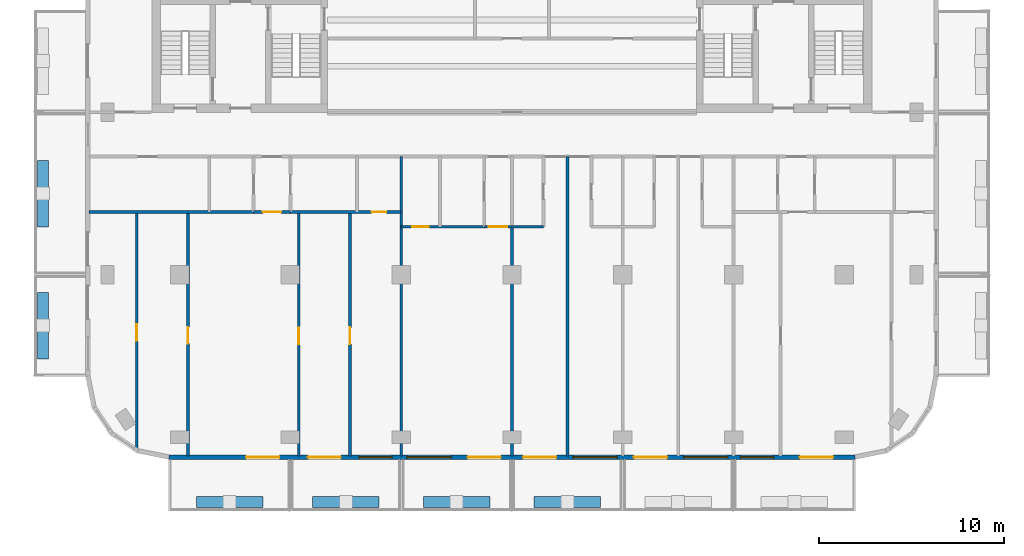
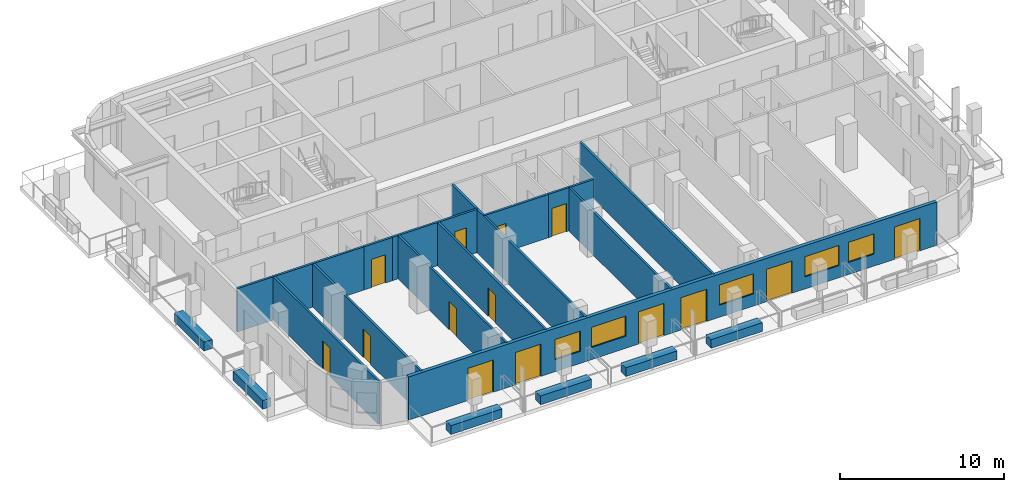
# One storey, part 2 of 11: 20 walls, 14 doors, 5 windows, 19 openings.
"""IFC4 building model written with IfcOpenShell, lengths in metres."""

from ifc_helpers import new_model, si_unit, direction, frame, frame_2d, origin, place, context, subcontext, project, spatial, rectangle, extrude, material, layer, layer_set, type_object, element, fill, save


model = new_model("IFC4")

# Units and contexts
model_context = context("Model", 3, precision=1e-05, world=origin(), true_north=direction((0.0, 1.0)))
body_context = subcontext(model_context, "Body", "Model", "MODEL_VIEW")
ifc_project = project(units=[si_unit("LENGTHUNIT", "METRE"), si_unit("AREAUNIT", "SQUARE_METRE"), si_unit("VOLUMEUNIT", "CUBIC_METRE"), si_unit("PLANEANGLEUNIT", "RADIAN"), si_unit("MASSUNIT", "GRAM", prefix="KILO")], contexts=[model_context])

# Site, building, storey
site_placement = place(None, origin())
site = spatial("IfcSite", under=ifc_project, at=site_placement, CompositionType="ELEMENT")
building_placement = place(site_placement, origin())
building = spatial("IfcBuilding", under=site, at=building_placement, Name="Torana Hotel and Residences", CompositionType="ELEMENT")
storey_placement = place(building_placement, frame((0.0, 0.0, 277.10009765625)))
storey = spatial("IfcBuildingStorey", under=building, at=storey_placement, Name="L73", CompositionType="ELEMENT", Elevation=277.10009765625)

# Wall, openings, doors, windows
ifc_material_1 = material(Name="Black aluminium composite panel", Category="aluminium")
ifc_layer_1 = layer(ifc_material_1, 0.00390625, Name="Cladding", Category="cladding")
ifc_material_2 = material(Name="Ventilated air cavity")
ifc_layer_2 = layer(ifc_material_2, 0.0400390625, Name="Ventilated cavity", Category="cavity")
ifc_material_3 = material(Name="Mineral wool insulation")
ifc_layer_3 = layer(ifc_material_3, 0.090087890625, Name="Insulation", Category="insulation")
ifc_material_4 = material(Name="Steel S280GD", Category="steel")
ifc_layer_4 = layer(ifc_material_4, 0.092041015625, Name="Steel stud frame", Category="structure")
ifc_material_5 = material(Name="Fire rated plasterboard")
ifc_layer_5 = layer(ifc_material_5, 0.011962890625, Name="Inner board", Category="finish")
ifc_layer_6 = layer(ifc_material_5, 0.011962890625, Name="Second board", Category="finish")
ifc_layer_set_1 = layer_set([ifc_layer_1, ifc_layer_2, ifc_layer_3, ifc_layer_4, ifc_layer_5, ifc_layer_6], Name="EW1 EXTERNAL WALL BLACK METAL CLAD 250")
wall_type_1 = type_object("IfcWallType", Name="EW1 EXTERNAL WALL BLACK METAL CLAD 250", PredefinedType="SOLIDWALL", material=ifc_layer_set_1)
wall_1_placement = place(storey_placement, frame((-18.575439453125, -33.675048828125, 0.0), z_axis=(0.0, 0.0, 1.0), x_axis=(1.0, 0.0, 0.0)))
wall_1 = element("IfcWall", 1, at=wall_1_placement, inside=storey, type_object=wall_type_1, Name="External wall L73 e0.14", PredefinedType="SOLIDWALL", context=body_context, shape_type="SweptSolid", body=[
    extrude(rectangle(XDim=37.15087890625, YDim=0.25, at=frame_2d((18.575439453125, 0.0))), origin(), (0.0, 0.0, 1.0), 3.219970703125),
])
opening_1_placement = place(wall_1_placement, frame((4.17529296875, 0.0, 0.0)))
opening_1 = element("IfcOpeningElement", 2, at=opening_1_placement, cuts=wall_1, Name="Opening L73-E01", PredefinedType="OPENING", context=body_context, shape_type="SweptSolid", body=[
    extrude(rectangle(XDim=1.800048828125, YDim=2.39990234375, at=frame_2d((0.89990234375, 1.199951171875))), frame((0.0, 0.135009765625, 0.0), z_axis=(0.0, -1.0, 0.0), x_axis=(1.0, 0.0, 0.0)), (0.0, 0.0, 1.0), 0.27001953125),
])
opening_2_placement = place(wall_1_placement, frame((7.512451171875, 0.0, 0.0)))
opening_2 = element("IfcOpeningElement", 3, at=opening_2_placement, cuts=wall_1, Name="Opening L73-E02", PredefinedType="OPENING", context=body_context, shape_type="SweptSolid", body=[
    extrude(rectangle(XDim=1.800048828125, YDim=2.39990234375, at=frame_2d((0.89990234375, 1.199951171875))), frame((0.0, 0.135009765625, 0.0), z_axis=(0.0, -1.0, 0.0), x_axis=(1.0, 0.0, 0.0)), (0.0, 0.0, 1.0), 0.27001953125),
])
opening_3_placement = place(wall_1_placement, frame((10.287353515625, 0.0, 0.89990234375)))
opening_3 = element("IfcOpeningElement", 4, at=opening_3_placement, cuts=wall_1, Name="Opening W4", PredefinedType="OPENING", context=body_context, shape_type="SweptSolid", body=[
    extrude(rectangle(XDim=1.800048828125, YDim=1.5, at=frame_2d((0.89990234375, 0.75))), frame((0.0, 0.135009765625, 0.0), z_axis=(0.0, -1.0, 0.0), x_axis=(1.0, 0.0, 0.0)), (0.0, 0.0, 1.0), 0.27001953125),
])
opening_4_placement = place(wall_1_placement, frame((12.87548828125, 0.0, 0.89990234375)))
opening_4 = element("IfcOpeningElement", 5, at=opening_4_placement, cuts=wall_1, Name="Opening W3", PredefinedType="OPENING", context=body_context, shape_type="SweptSolid", body=[
    extrude(rectangle(XDim=2.39990234375, YDim=1.5, at=frame_2d((1.199951171875, 0.75))), frame((0.0, 0.135009765625, 0.0), z_axis=(0.0, -1.0, 0.0), x_axis=(1.0, 0.0, 0.0)), (0.0, 0.0, 1.0), 0.27001953125),
])
opening_5_placement = place(wall_1_placement, frame((16.17529296875, 0.0, 0.0)))
opening_5 = element("IfcOpeningElement", 6, at=opening_5_placement, cuts=wall_1, Name="Opening L73-E03", PredefinedType="OPENING", context=body_context, shape_type="SweptSolid", body=[
    extrude(rectangle(XDim=1.800048828125, YDim=2.39990234375, at=frame_2d((0.89990234375, 1.199951171875))), frame((0.0, 0.135009765625, 0.0), z_axis=(0.0, -1.0, 0.0), x_axis=(1.0, 0.0, 0.0)), (0.0, 0.0, 1.0), 0.27001953125),
])
opening_6_placement = place(wall_1_placement, frame((19.17529296875, 0.0, 0.0)))
opening_6 = element("IfcOpeningElement", 7, at=opening_6_placement, cuts=wall_1, Name="Opening L73-E04", PredefinedType="OPENING", context=body_context, shape_type="SweptSolid", body=[
    extrude(rectangle(XDim=1.800048828125, YDim=2.39990234375, at=frame_2d((0.89990234375, 1.199951171875))), frame((0.0, 0.135009765625, 0.0), z_axis=(0.0, -1.0, 0.0), x_axis=(1.0, 0.0, 0.0)), (0.0, 0.0, 1.0), 0.27001953125),
])
opening_7_placement = place(wall_1_placement, frame((21.87548828125, 0.0, 0.89990234375)))
opening_7 = element("IfcOpeningElement", 8, at=opening_7_placement, cuts=wall_1, Name="Opening W3", PredefinedType="OPENING", context=body_context, shape_type="SweptSolid", body=[
    extrude(rectangle(XDim=2.39990234375, YDim=1.5, at=frame_2d((1.199951171875, 0.75))), frame((0.0, 0.135009765625, 0.0), z_axis=(0.0, -1.0, 0.0), x_axis=(1.0, 0.0, 0.0)), (0.0, 0.0, 1.0), 0.27001953125),
])
opening_8_placement = place(wall_1_placement, frame((25.17529296875, 0.0, 0.0)))
opening_8 = element("IfcOpeningElement", 9, at=opening_8_placement, cuts=wall_1, Name="Opening L73-E05", PredefinedType="OPENING", context=body_context, shape_type="SweptSolid", body=[
    extrude(rectangle(XDim=1.800048828125, YDim=2.39990234375, at=frame_2d((0.89990234375, 1.199951171875))), frame((0.0, 0.135009765625, 0.0), z_axis=(0.0, -1.0, 0.0), x_axis=(1.0, 0.0, 0.0)), (0.0, 0.0, 1.0), 0.27001953125),
])
opening_9_placement = place(wall_1_placement, frame((27.87548828125, 0.0, 0.89990234375)))
opening_9 = element("IfcOpeningElement", 10, at=opening_9_placement, cuts=wall_1, Name="Opening W3", PredefinedType="OPENING", context=body_context, shape_type="SweptSolid", body=[
    extrude(rectangle(XDim=2.39990234375, YDim=1.5, at=frame_2d((1.199951171875, 0.75))), frame((0.0, 0.135009765625, 0.0), z_axis=(0.0, -1.0, 0.0), x_axis=(1.0, 0.0, 0.0)), (0.0, 0.0, 1.0), 0.27001953125),
])
opening_10_placement = place(wall_1_placement, frame((30.950439453125, 0.0, 0.89990234375)))
opening_10 = element("IfcOpeningElement", 11, at=opening_10_placement, cuts=wall_1, Name="Opening W4", PredefinedType="OPENING", context=body_context, shape_type="SweptSolid", body=[
    extrude(rectangle(XDim=1.800048828125, YDim=1.5, at=frame_2d((0.89990234375, 0.75))), frame((0.0, 0.135009765625, 0.0), z_axis=(0.0, -1.0, 0.0), x_axis=(1.0, 0.0, 0.0)), (0.0, 0.0, 1.0), 0.27001953125),
])
opening_11_placement = place(wall_1_placement, frame((34.17529296875, 0.0, 0.0)))
opening_11 = element("IfcOpeningElement", 12, at=opening_11_placement, cuts=wall_1, Name="Opening L73-E06", PredefinedType="OPENING", context=body_context, shape_type="SweptSolid", body=[
    extrude(rectangle(XDim=1.800048828125, YDim=2.39990234375, at=frame_2d((0.89990234375, 1.199951171875))), frame((0.0, 0.135009765625, 0.0), z_axis=(0.0, -1.0, 0.0), x_axis=(1.0, 0.0, 0.0)), (0.0, 0.0, 1.0), 0.27001953125),
])
ifc_material_6 = material(Name="Dark glass in black aluminium frame", Category="aluminium")
door_type_1 = type_object("IfcDoorType", Name="DB1 BALCONY DOOR 1800x2400", OperationType="DOUBLE_DOOR_SINGLE_SWING", PredefinedType="DOOR", material=ifc_material_6)
door_1_placement = place(opening_1_placement, origin())
door_1 = element("IfcDoor", 13, at=door_1_placement, inside=storey, type_object=door_type_1, Name="Balcony door L73", OperationType="DOUBLE_DOOR_SINGLE_SWING", OverallHeight=2.39990234375, OverallWidth=1.800048828125, PredefinedType="DOOR", context=body_context, shape_type="SweptSolid", body=[
    extrude(rectangle(XDim=1.800048828125, YDim=2.39990234375, at=frame_2d((0.89990234375, 1.199951171875))), frame((0.0, 0.02490234375, 0.0), z_axis=(0.0, -1.0, 0.0), x_axis=(1.0, 0.0, 0.0)), (0.0, 0.0, 1.0), 0.050048828125),
])
fill(opening_1, door_1)
door_2_placement = place(opening_2_placement, origin())
door_2 = element("IfcDoor", 14, at=door_2_placement, inside=storey, type_object=door_type_1, Name="Balcony door L73", OperationType="DOUBLE_DOOR_SINGLE_SWING", OverallHeight=2.39990234375, OverallWidth=1.800048828125, PredefinedType="DOOR", context=body_context, shape_type="SweptSolid", body=[
    extrude(rectangle(XDim=1.800048828125, YDim=2.39990234375, at=frame_2d((0.89990234375, 1.199951171875))), frame((0.0, 0.02490234375, 0.0), z_axis=(0.0, -1.0, 0.0), x_axis=(1.0, 0.0, 0.0)), (0.0, 0.0, 1.0), 0.050048828125),
])
fill(opening_2, door_2)
door_3_placement = place(opening_5_placement, origin())
door_3 = element("IfcDoor", 15, at=door_3_placement, inside=storey, type_object=door_type_1, Name="Balcony door L73", OperationType="DOUBLE_DOOR_SINGLE_SWING", OverallHeight=2.39990234375, OverallWidth=1.800048828125, PredefinedType="DOOR", context=body_context, shape_type="SweptSolid", body=[
    extrude(rectangle(XDim=1.800048828125, YDim=2.39990234375, at=frame_2d((0.89990234375, 1.199951171875))), frame((0.0, 0.02490234375, 0.0), z_axis=(0.0, -1.0, 0.0), x_axis=(1.0, 0.0, 0.0)), (0.0, 0.0, 1.0), 0.050048828125),
])
fill(opening_5, door_3)
door_4_placement = place(opening_6_placement, origin())
door_4 = element("IfcDoor", 16, at=door_4_placement, inside=storey, type_object=door_type_1, Name="Balcony door L73", OperationType="DOUBLE_DOOR_SINGLE_SWING", OverallHeight=2.39990234375, OverallWidth=1.800048828125, PredefinedType="DOOR", context=body_context, shape_type="SweptSolid", body=[
    extrude(rectangle(XDim=1.800048828125, YDim=2.39990234375, at=frame_2d((0.89990234375, 1.199951171875))), frame((0.0, 0.02490234375, 0.0), z_axis=(0.0, -1.0, 0.0), x_axis=(1.0, 0.0, 0.0)), (0.0, 0.0, 1.0), 0.050048828125),
])
fill(opening_6, door_4)
door_5_placement = place(opening_8_placement, origin())
door_5 = element("IfcDoor", 17, at=door_5_placement, inside=storey, type_object=door_type_1, Name="Balcony door L73", OperationType="DOUBLE_DOOR_SINGLE_SWING", OverallHeight=2.39990234375, OverallWidth=1.800048828125, PredefinedType="DOOR", context=body_context, shape_type="SweptSolid", body=[
    extrude(rectangle(XDim=1.800048828125, YDim=2.39990234375, at=frame_2d((0.89990234375, 1.199951171875))), frame((0.0, 0.02490234375, 0.0), z_axis=(0.0, -1.0, 0.0), x_axis=(1.0, 0.0, 0.0)), (0.0, 0.0, 1.0), 0.050048828125),
])
fill(opening_8, door_5)
door_6_placement = place(opening_11_placement, origin())
door_6 = element("IfcDoor", 18, at=door_6_placement, inside=storey, type_object=door_type_1, Name="Balcony door L73", OperationType="DOUBLE_DOOR_SINGLE_SWING", OverallHeight=2.39990234375, OverallWidth=1.800048828125, PredefinedType="DOOR", context=body_context, shape_type="SweptSolid", body=[
    extrude(rectangle(XDim=1.800048828125, YDim=2.39990234375, at=frame_2d((0.89990234375, 1.199951171875))), frame((0.0, 0.02490234375, 0.0), z_axis=(0.0, -1.0, 0.0), x_axis=(1.0, 0.0, 0.0)), (0.0, 0.0, 1.0), 0.050048828125),
])
fill(opening_11, door_6)
ifc_material_7 = material(Name="Dark glass in black aluminium frame", Category="aluminium")
window_type_1 = type_object("IfcWindowType", Name="W3 RESIDENCE WINDOW 2400x1500", PartitioningType="SINGLE_PANEL", PredefinedType="WINDOW", material=ifc_material_7)
window_1_placement = place(opening_4_placement, origin())
window_1 = element("IfcWindow", 19, at=window_1_placement, inside=storey, type_object=window_type_1, Name="Window L73", OverallHeight=1.5, OverallWidth=2.39990234375, PartitioningType="SINGLE_PANEL", PredefinedType="WINDOW", context=body_context, shape_type="SweptSolid", body=[
    extrude(rectangle(XDim=2.39990234375, YDim=1.5, at=frame_2d((1.199951171875, 0.75))), frame((0.0, 0.030029296875, 0.0), z_axis=(0.0, -1.0, 0.0), x_axis=(1.0, 0.0, 0.0)), (0.0, 0.0, 1.0), 0.06005859375),
])
fill(opening_4, window_1)
window_2_placement = place(opening_7_placement, origin())
window_2 = element("IfcWindow", 20, at=window_2_placement, inside=storey, type_object=window_type_1, Name="Window L73", OverallHeight=1.5, OverallWidth=2.39990234375, PartitioningType="SINGLE_PANEL", PredefinedType="WINDOW", context=body_context, shape_type="SweptSolid", body=[
    extrude(rectangle(XDim=2.39990234375, YDim=1.5, at=frame_2d((1.199951171875, 0.75))), frame((0.0, 0.030029296875, 0.0), z_axis=(0.0, -1.0, 0.0), x_axis=(1.0, 0.0, 0.0)), (0.0, 0.0, 1.0), 0.06005859375),
])
fill(opening_7, window_2)
window_3_placement = place(opening_9_placement, origin())
window_3 = element("IfcWindow", 21, at=window_3_placement, inside=storey, type_object=window_type_1, Name="Window L73", OverallHeight=1.5, OverallWidth=2.39990234375, PartitioningType="SINGLE_PANEL", PredefinedType="WINDOW", context=body_context, shape_type="SweptSolid", body=[
    extrude(rectangle(XDim=2.39990234375, YDim=1.5, at=frame_2d((1.199951171875, 0.75))), frame((0.0, 0.030029296875, 0.0), z_axis=(0.0, -1.0, 0.0), x_axis=(1.0, 0.0, 0.0)), (0.0, 0.0, 1.0), 0.06005859375),
])
fill(opening_9, window_3)
ifc_material_8 = material(Name="Dark glass in black aluminium frame", Category="aluminium")
window_type_2 = type_object("IfcWindowType", Name="W4 RESIDENCE WINDOW NARROW 1800x1500", PartitioningType="SINGLE_PANEL", PredefinedType="WINDOW", material=ifc_material_8)
window_4_placement = place(opening_3_placement, origin())
window_4 = element("IfcWindow", 22, at=window_4_placement, inside=storey, type_object=window_type_2, Name="Window L73", OverallHeight=1.5, OverallWidth=1.800048828125, PartitioningType="SINGLE_PANEL", PredefinedType="WINDOW", context=body_context, shape_type="SweptSolid", body=[
    extrude(rectangle(XDim=1.800048828125, YDim=1.5, at=frame_2d((0.89990234375, 0.75))), frame((0.0, 0.030029296875, 0.0), z_axis=(0.0, -1.0, 0.0), x_axis=(1.0, 0.0, 0.0)), (0.0, 0.0, 1.0), 0.06005859375),
])
fill(opening_3, window_4)
window_5_placement = place(opening_10_placement, origin())
window_5 = element("IfcWindow", 23, at=window_5_placement, inside=storey, type_object=window_type_2, Name="Window L73", OverallHeight=1.5, OverallWidth=1.800048828125, PartitioningType="SINGLE_PANEL", PredefinedType="WINDOW", context=body_context, shape_type="SweptSolid", body=[
    extrude(rectangle(XDim=1.800048828125, YDim=1.5, at=frame_2d((0.89990234375, 0.75))), frame((0.0, 0.030029296875, 0.0), z_axis=(0.0, -1.0, 0.0), x_axis=(1.0, 0.0, 0.0)), (0.0, 0.0, 1.0), 0.06005859375),
])
fill(opening_10, window_5)

# Wall, opening, door
ifc_material_9 = material(Name="Gypsum plaster")
ifc_layer_7 = layer(ifc_material_9, 0.014892578125, Name="Plaster", Category="finish")
ifc_material_10 = material(Name="Concrete blockwork", Category="masonry")
ifc_layer_8 = layer(ifc_material_10, 0.1201171875, Name="Blockwork", Category="structure")
ifc_layer_9 = layer(ifc_material_9, 0.014892578125, Name="Plaster", Category="finish")
ifc_layer_set_2 = layer_set([ifc_layer_7, ifc_layer_8, ifc_layer_9], Name="FIRE PARTITION 150 BLOCKWORK")
wall_type_2 = type_object("IfcWallType", Name="FIRE PARTITION 150 BLOCKWORK", PredefinedType="PARTITIONING", material=ifc_layer_set_2)
wall_2_placement = place(storey_placement, frame((-1.5, -21.199951171875, 0.0), z_axis=(0.0, 0.0, 1.0), x_axis=(1.0, 0.0, 0.0)))
wall_2 = element("IfcWall", 24, at=wall_2_placement, inside=storey, type_object=wall_type_2, Name="Partition L73", PredefinedType="PARTITIONING", context=body_context, shape_type="SweptSolid", body=[
    extrude(rectangle(XDim=1.5, YDim=0.14990234375, at=frame_2d((0.75, 0.0))), origin(), (0.0, 0.0, 1.0), 3.219970703125),
])
opening_12_placement = place(wall_2_placement, frame((0.25, 0.0, 0.0)))
opening_12 = element("IfcOpeningElement", 25, at=opening_12_placement, cuts=wall_2, Name="Opening L73-38", PredefinedType="OPENING", context=body_context, shape_type="SweptSolid", body=[
    extrude(rectangle(XDim=1.0, YDim=2.10009765625, at=frame_2d((0.5, 1.050048828125))), frame((0.0, 0.0849609375, 0.0), z_axis=(0.0, -1.0, 0.0), x_axis=(1.0, 0.0, 0.0)), (0.0, 0.0, 1.0), 0.169921875),
])
ifc_material_11 = material(Name="Steel S235", Category="steel")
door_type_2 = type_object("IfcDoorType", Name="ENTRY FIRE DOOR D6 1000x2100", OperationType="SINGLE_SWING_LEFT", PredefinedType="DOOR", material=ifc_material_11)
door_7_placement = place(opening_12_placement, frame((0.5, 0.0, 0.0), z_axis=(0.0, 0.0, 1.0), x_axis=(-1.0, 0.0, 0.0)))
door_7 = element("IfcDoor", 26, at=door_7_placement, inside=storey, type_object=door_type_2, Name="Door L73", OperationType="SINGLE_SWING_RIGHT", OverallHeight=2.10009765625, OverallWidth=1.0, PredefinedType="DOOR", context=body_context, shape_type="SweptSolid", body=[
    extrude(rectangle(XDim=1.0, YDim=2.10009765625, at=frame_2d((0.0, 1.050048828125))), frame((0.0, -0.02490234375, 0.0), z_axis=(0.0, 1.0, 0.0), x_axis=(-1.0, 0.0, 0.0)), (0.0, 0.0, 1.0), 0.050048828125),
])
fill(opening_12, door_7)

wall_3_placement = place(storey_placement, frame((-14.0, -20.39990234375, 0.0), z_axis=(0.0, 0.0, 1.0), x_axis=(1.0, 0.0, 0.0)))
wall_3 = element("IfcWall", 27, at=wall_3_placement, inside=storey, type_object=wall_type_2, Name="Partition L73", PredefinedType="PARTITIONING", context=body_context, shape_type="SweptSolid", body=[
    extrude(rectangle(XDim=2.0, YDim=0.14990234375, at=frame_2d((1.0, 0.0))), origin(), (0.0, 0.0, 1.0), 3.219970703125),
])
opening_13_placement = place(wall_3_placement, frame((0.5, 0.0, 0.0)))
opening_13 = element("IfcOpeningElement", 28, at=opening_13_placement, cuts=wall_3, Name="Opening L73-46", PredefinedType="OPENING", context=body_context, shape_type="SweptSolid", body=[
    extrude(rectangle(XDim=1.0, YDim=2.10009765625, at=frame_2d((0.5, 1.050048828125))), frame((0.0, 0.0849609375, 0.0), z_axis=(0.0, -1.0, 0.0), x_axis=(1.0, 0.0, 0.0)), (0.0, 0.0, 1.0), 0.169921875),
])
door_8_placement = place(opening_13_placement, frame((0.5, 0.0, 0.0), z_axis=(0.0, 0.0, 1.0), x_axis=(-1.0, 0.0, 0.0)))
door_8 = element("IfcDoor", 29, at=door_8_placement, inside=storey, type_object=door_type_2, Name="Door L73", OperationType="SINGLE_SWING_RIGHT", OverallHeight=2.10009765625, OverallWidth=1.0, PredefinedType="DOOR", context=body_context, shape_type="SweptSolid", body=[
    extrude(rectangle(XDim=1.0, YDim=2.10009765625, at=frame_2d((0.0, 1.050048828125))), frame((0.0, -0.02490234375, 0.0), z_axis=(0.0, 1.0, 0.0), x_axis=(-1.0, 0.0, 0.0)), (0.0, 0.0, 1.0), 0.050048828125),
])
fill(opening_13, door_8)

# Walls
ifc_material_12 = material(Name="Gypsum plasterboard")
ifc_layer_10 = layer(ifc_material_12, 0.012451171875, Name="Plasterboard", Category="finish")
ifc_layer_11 = layer(ifc_material_12, 0.012451171875, Name="Plasterboard", Category="finish")
ifc_layer_12 = layer(ifc_material_4, 0.10009765625, Name="Steel studs with mineral wool", Category="insulation")
ifc_layer_13 = layer(ifc_material_12, 0.012451171875, Name="Plasterboard", Category="finish")
ifc_layer_14 = layer(ifc_material_12, 0.012451171875, Name="Plasterboard", Category="finish")
ifc_layer_set_3 = layer_set([ifc_layer_10, ifc_layer_11, ifc_layer_12, ifc_layer_13, ifc_layer_14], Name="PARTITION 150 PLASTERBOARD")
wall_type_3 = type_object("IfcWallType", Name="PARTITION 150 PLASTERBOARD", PredefinedType="PARTITIONING", material=ifc_layer_set_3)
wall_4_placement = place(storey_placement, frame((3.0, -33.6201171875, 0.0), z_axis=(0.0, 0.0, 1.0), x_axis=(0.0, 1.0, 0.0)))
element("IfcWall", 30, at=wall_4_placement, inside=storey, type_object=wall_type_3, Name="Partition L73", PredefinedType="PARTITIONING", context=body_context, shape_type="SweptSolid", body=[
    extrude(rectangle(XDim=16.22021484375, YDim=0.14990234375, at=frame_2d((8.110107421875, 0.0))), origin(), (0.0, 0.0, 1.0), 3.219970703125),
])
wall_5_placement = place(storey_placement, frame((0.0, -33.6201171875, 0.0), z_axis=(0.0, 0.0, 1.0), x_axis=(0.0, 1.0, 0.0)))
element("IfcWall", 31, at=wall_5_placement, inside=storey, type_object=wall_type_3, Name="Partition L73", PredefinedType="PARTITIONING", context=body_context, shape_type="SweptSolid", body=[
    extrude(rectangle(XDim=12.420166015625, YDim=0.14990234375, at=frame_2d((6.2099609375, 0.0))), origin(), (0.0, 0.0, 1.0), 3.219970703125),
])
wall_6_placement = place(storey_placement, frame((-6.0, -33.6201171875, 0.0), z_axis=(0.0, 0.0, 1.0), x_axis=(0.0, 1.0, 0.0)))
element("IfcWall", 32, at=wall_6_placement, inside=storey, type_object=wall_type_3, Name="Partition L73", PredefinedType="PARTITIONING", context=body_context, shape_type="SweptSolid", body=[
    extrude(rectangle(XDim=16.22021484375, YDim=0.14990234375, at=frame_2d((8.110107421875, 0.0))), origin(), (0.0, 0.0, 1.0), 3.219970703125),
])

# Wall, opening, door
wall_7_placement = place(storey_placement, frame((-8.77490234375, -33.6201171875, 0.0), z_axis=(0.0, 0.0, 1.0), x_axis=(0.0, 1.0, 0.0)))
wall_7 = element("IfcWall", 33, at=wall_7_placement, inside=storey, type_object=wall_type_3, Name="Partition L73", PredefinedType="PARTITIONING", context=body_context, shape_type="SweptSolid", body=[
    extrude(rectangle(XDim=13.22021484375, YDim=0.14990234375, at=frame_2d((6.610107421875, 0.0))), origin(), (0.0, 0.0, 1.0), 3.219970703125),
])
opening_14_placement = place(wall_7_placement, frame((6.070068359375, 0.0, 0.0)))
opening_14 = element("IfcOpeningElement", 34, at=opening_14_placement, cuts=wall_7, Name="Opening L73-49", PredefinedType="OPENING", context=body_context, shape_type="SweptSolid", body=[
    extrude(rectangle(XDim=0.89990234375, YDim=2.10009765625, at=frame_2d((0.449951171875, 1.050048828125))), frame((0.0, 0.0849609375, 0.0), z_axis=(0.0, -1.0, 0.0), x_axis=(1.0, 0.0, 0.0)), (0.0, 0.0, 1.0), 0.169921875),
])
ifc_material_13 = material(Name="Timber door, oiled ash", Category="wood")
door_type_3 = type_object("IfcDoorType", Name="ROOM DOOR D7 900x2100", OperationType="SINGLE_SWING_LEFT", PredefinedType="DOOR", material=ifc_material_13)
door_9_placement = place(opening_14_placement, origin())
door_9 = element("IfcDoor", 35, at=door_9_placement, inside=storey, type_object=door_type_3, Name="Door L73", OperationType="SINGLE_SWING_RIGHT", OverallHeight=2.10009765625, OverallWidth=0.89990234375, PredefinedType="DOOR", context=body_context, shape_type="SweptSolid", body=[
    extrude(rectangle(XDim=0.89990234375, YDim=2.10009765625, at=frame_2d((0.449951171875, 1.050048828125))), frame((0.0, 0.02490234375, 0.0), z_axis=(0.0, -1.0, 0.0), x_axis=(1.0, 0.0, 0.0)), (0.0, 0.0, 1.0), 0.050048828125),
])
fill(opening_14, door_9)

wall_8_placement = place(storey_placement, frame((-11.550048828125, -33.6201171875, 0.0), z_axis=(0.0, 0.0, 1.0), x_axis=(0.0, 1.0, 0.0)))
wall_8 = element("IfcWall", 36, at=wall_8_placement, inside=storey, type_object=wall_type_3, Name="Partition L73", PredefinedType="PARTITIONING", context=body_context, shape_type="SweptSolid", body=[
    extrude(rectangle(XDim=13.22021484375, YDim=0.14990234375, at=frame_2d((6.610107421875, 0.0))), origin(), (0.0, 0.0, 1.0), 3.219970703125),
])
opening_15_placement = place(wall_8_placement, frame((6.050048828125, 0.0, 0.0)))
opening_15 = element("IfcOpeningElement", 37, at=opening_15_placement, cuts=wall_8, Name="Opening L73-47", PredefinedType="OPENING", context=body_context, shape_type="SweptSolid", body=[
    extrude(rectangle(XDim=0.89990234375, YDim=2.10009765625, at=frame_2d((0.449951171875, 1.050048828125))), frame((0.0, 0.0849609375, 0.0), z_axis=(0.0, -1.0, 0.0), x_axis=(1.0, 0.0, 0.0)), (0.0, 0.0, 1.0), 0.169921875),
])
door_10_placement = place(opening_15_placement, origin())
door_10 = element("IfcDoor", 38, at=door_10_placement, inside=storey, type_object=door_type_3, Name="Door L73", OperationType="SINGLE_SWING_RIGHT", OverallHeight=2.10009765625, OverallWidth=0.89990234375, PredefinedType="DOOR", context=body_context, shape_type="SweptSolid", body=[
    extrude(rectangle(XDim=0.89990234375, YDim=2.10009765625, at=frame_2d((0.449951171875, 1.050048828125))), frame((0.0, 0.02490234375, 0.0), z_axis=(0.0, -1.0, 0.0), x_axis=(1.0, 0.0, 0.0)), (0.0, 0.0, 1.0), 0.050048828125),
])
fill(opening_15, door_10)

wall_9_placement = place(storey_placement, frame((-17.550048828125, -33.6201171875, 0.0), z_axis=(0.0, 0.0, 1.0), x_axis=(0.0, 1.0, 0.0)))
wall_9 = element("IfcWall", 39, at=wall_9_placement, inside=storey, type_object=wall_type_3, Name="Partition L73", PredefinedType="PARTITIONING", context=body_context, shape_type="SweptSolid", body=[
    extrude(rectangle(XDim=13.22021484375, YDim=0.14990234375, at=frame_2d((6.610107421875, 0.0))), origin(), (0.0, 0.0, 1.0), 3.219970703125),
])
opening_16_placement = place(wall_9_placement, frame((6.090087890625, 0.0, 0.0)))
opening_16 = element("IfcOpeningElement", 40, at=opening_16_placement, cuts=wall_9, Name="Opening L73-48", PredefinedType="OPENING", context=body_context, shape_type="SweptSolid", body=[
    extrude(rectangle(XDim=0.89990234375, YDim=2.10009765625, at=frame_2d((0.449951171875, 1.050048828125))), frame((0.0, 0.0849609375, 0.0), z_axis=(0.0, -1.0, 0.0), x_axis=(1.0, 0.0, 0.0)), (0.0, 0.0, 1.0), 0.169921875),
])
door_11_placement = place(opening_16_placement, origin())
door_11 = element("IfcDoor", 41, at=door_11_placement, inside=storey, type_object=door_type_3, Name="Door L73", OperationType="SINGLE_SWING_RIGHT", OverallHeight=2.10009765625, OverallWidth=0.89990234375, PredefinedType="DOOR", context=body_context, shape_type="SweptSolid", body=[
    extrude(rectangle(XDim=0.89990234375, YDim=2.10009765625, at=frame_2d((0.449951171875, 1.050048828125))), frame((0.0, 0.02490234375, 0.0), z_axis=(0.0, -1.0, 0.0), x_axis=(1.0, 0.0, 0.0)), (0.0, 0.0, 1.0), 0.050048828125),
])
fill(opening_16, door_11)

wall_10_placement = place(storey_placement, frame((-20.324951171875, -33.239013671875, 0.0), z_axis=(0.0, 0.0, 1.0), x_axis=(0.0, 1.0, 0.0)))
wall_10 = element("IfcWall", 42, at=wall_10_placement, inside=storey, type_object=wall_type_3, Name="Partition L73", PredefinedType="PARTITIONING", context=body_context, shape_type="SweptSolid", body=[
    extrude(rectangle(XDim=12.839111328125, YDim=0.14990234375, at=frame_2d((6.41943359375, 0.0))), origin(), (0.0, 0.0, 1.0), 3.219970703125),
])
opening_17_placement = place(wall_10_placement, frame((5.85302734375, 0.0, 0.0)))
opening_17 = element("IfcOpeningElement", 43, at=opening_17_placement, cuts=wall_10, Name="Opening L73-50", PredefinedType="OPENING", context=body_context, shape_type="SweptSolid", body=[
    extrude(rectangle(XDim=0.89990234375, YDim=2.10009765625, at=frame_2d((0.449951171875, 1.050048828125))), frame((0.0, 0.0849609375, 0.0), z_axis=(0.0, -1.0, 0.0), x_axis=(1.0, 0.0, 0.0)), (0.0, 0.0, 1.0), 0.169921875),
])
door_12_placement = place(opening_17_placement, origin())
door_12 = element("IfcDoor", 44, at=door_12_placement, inside=storey, type_object=door_type_3, Name="Door L73", OperationType="SINGLE_SWING_RIGHT", OverallHeight=2.10009765625, OverallWidth=0.89990234375, PredefinedType="DOOR", context=body_context, shape_type="SweptSolid", body=[
    extrude(rectangle(XDim=0.89990234375, YDim=2.10009765625, at=frame_2d((0.449951171875, 1.050048828125))), frame((0.0, 0.02490234375, 0.0), z_axis=(0.0, -1.0, 0.0), x_axis=(1.0, 0.0, 0.0)), (0.0, 0.0, 1.0), 0.050048828125),
])
fill(opening_17, door_12)

wall_11_placement = place(storey_placement, frame((-6.0, -21.199951171875, 0.0), z_axis=(0.0, 0.0, 1.0), x_axis=(1.0, 0.0, 0.0)))
wall_11 = element("IfcWall", 45, at=wall_11_placement, inside=storey, type_object=wall_type_3, Name="Partition L73", PredefinedType="PARTITIONING", context=body_context, shape_type="SweptSolid", body=[
    extrude(rectangle(XDim=4.5, YDim=0.14990234375, at=frame_2d((2.25, 0.0))), origin(), (0.0, 0.0, 1.0), 3.219970703125),
])
opening_18_placement = place(wall_11_placement, frame((0.60009765625, 0.0, 0.0)))
opening_18 = element("IfcOpeningElement", 46, at=opening_18_placement, cuts=wall_11, Name="Opening L73-36", PredefinedType="OPENING", context=body_context, shape_type="SweptSolid", body=[
    extrude(rectangle(XDim=0.89990234375, YDim=2.10009765625, at=frame_2d((0.449951171875, 1.050048828125))), frame((0.0, 0.0849609375, 0.0), z_axis=(0.0, -1.0, 0.0), x_axis=(1.0, 0.0, 0.0)), (0.0, 0.0, 1.0), 0.169921875),
])
door_13_placement = place(opening_18_placement, origin())
door_13 = element("IfcDoor", 47, at=door_13_placement, inside=storey, type_object=door_type_3, Name="Door L73", OperationType="SINGLE_SWING_RIGHT", OverallHeight=2.10009765625, OverallWidth=0.89990234375, PredefinedType="DOOR", context=body_context, shape_type="SweptSolid", body=[
    extrude(rectangle(XDim=0.89990234375, YDim=2.10009765625, at=frame_2d((0.449951171875, 1.050048828125))), frame((0.0, 0.02490234375, 0.0), z_axis=(0.0, -1.0, 0.0), x_axis=(1.0, 0.0, 0.0)), (0.0, 0.0, 1.0), 0.050048828125),
])
fill(opening_18, door_13)

# Walls
wall_12_placement = place(storey_placement, frame((0.0, -21.199951171875, 0.0), z_axis=(0.0, 0.0, 1.0), x_axis=(1.0, 0.0, 0.0)))
element("IfcWall", 48, at=wall_12_placement, inside=storey, type_object=wall_type_3, Name="Partition L73", PredefinedType="PARTITIONING", context=body_context, shape_type="SweptSolid", body=[
    extrude(rectangle(XDim=1.699951171875, YDim=0.14990234375, at=frame_2d((0.85009765625, 0.0))), origin(), (0.0, 0.0, 1.0), 3.219970703125),
])
wall_13_placement = place(storey_placement, frame((-22.919921875, -20.39990234375, 0.0), z_axis=(0.0, 0.0, 1.0), x_axis=(1.0, 0.0, 0.0)))
element("IfcWall", 49, at=wall_13_placement, inside=storey, type_object=wall_type_3, Name="Partition L73", PredefinedType="PARTITIONING", context=body_context, shape_type="SweptSolid", body=[
    extrude(rectangle(XDim=8.919921875, YDim=0.14990234375, at=frame_2d((4.4599609375, 0.0))), origin(), (0.0, 0.0, 1.0), 3.219970703125),
])

# Wall, opening, door
wall_14_placement = place(storey_placement, frame((-12.0, -20.39990234375, 0.0), z_axis=(0.0, 0.0, 1.0), x_axis=(1.0, 0.0, 0.0)))
wall_14 = element("IfcWall", 50, at=wall_14_placement, inside=storey, type_object=wall_type_3, Name="Partition L73", PredefinedType="PARTITIONING", context=body_context, shape_type="SweptSolid", body=[
    extrude(rectangle(XDim=6.0, YDim=0.14990234375, at=frame_2d((3.0, 0.0))), origin(), (0.0, 0.0, 1.0), 3.219970703125),
])
opening_19_placement = place(wall_14_placement, frame((4.39990234375, 0.0, 0.0)))
opening_19 = element("IfcOpeningElement", 51, at=opening_19_placement, cuts=wall_14, Name="Opening L73-43", PredefinedType="OPENING", context=body_context, shape_type="SweptSolid", body=[
    extrude(rectangle(XDim=0.800048828125, YDim=2.10009765625, at=frame_2d((0.39990234375, 1.050048828125))), frame((0.0, 0.0849609375, 0.0), z_axis=(0.0, -1.0, 0.0), x_axis=(1.0, 0.0, 0.0)), (0.0, 0.0, 1.0), 0.169921875),
])
ifc_material_14 = material(Name="Timber door, painted", Category="wood")
door_type_4 = type_object("IfcDoorType", Name="BATH DOOR D13 800x2100", OperationType="SINGLE_SWING_LEFT", PredefinedType="DOOR", material=ifc_material_14)
door_14_placement = place(opening_19_placement, origin())
door_14 = element("IfcDoor", 52, at=door_14_placement, inside=storey, type_object=door_type_4, Name="Door L73", OperationType="SINGLE_SWING_RIGHT", OverallHeight=2.10009765625, OverallWidth=0.800048828125, PredefinedType="DOOR", context=body_context, shape_type="SweptSolid", body=[
    extrude(rectangle(XDim=0.800048828125, YDim=2.10009765625, at=frame_2d((0.39990234375, 1.050048828125))), frame((0.0, 0.02490234375, 0.0), z_axis=(0.0, -1.0, 0.0), x_axis=(1.0, 0.0, 0.0)), (0.0, 0.0, 1.0), 0.050048828125),
])
fill(opening_19, door_14)

# Walls
ifc_material_15 = material(Name="Concrete C40/50 precast", Category="concrete")
ifc_layer_15 = layer(ifc_material_15, 0.10009765625, Name="Planter shell", Category="structure")
ifc_material_16 = material(Name="Root resistant membrane")
ifc_layer_16 = layer(ifc_material_16, 0.00390625, Name="Waterproofing membrane", Category="membrane")
ifc_material_17 = material(Name="Drainage board with filter fleece")
ifc_layer_17 = layer(ifc_material_17, 0.02001953125, Name="Drainage board", Category="drainage")
ifc_material_18 = material(Name="Growing medium")
ifc_layer_18 = layer(ifc_material_18, 0.47607421875, Name="Planting substrate", Category="soil")
ifc_layer_set_4 = layer_set([ifc_layer_15, ifc_layer_16, ifc_layer_17, ifc_layer_18], Name="PL1 BALCONY PLANTER 600")
wall_type_4 = type_object("IfcWallType", Name="PL1 BALCONY PLANTER 600", PredefinedType="USERDEFINED", material=ifc_layer_set_4)
for number, where, z_axis, x_axis, name in (
    (53, (-13.5, -36.10009765625, 0.0), (0.0, 0.0, 1.0), (-1.0, 0.0, 0.0), "Planter 01"),
    (54, (-7.199951171875, -36.10009765625, 0.0), (0.0, 0.0, 1.0), (-1.0, 0.0, 0.0), "Planter 02"),
    (55, (-1.199951171875, -36.10009765625, 0.0), (0.0, 0.0, 1.0), (-1.0, 0.0, 0.0), "Planter 03"),
    (56, (4.800048828125, -36.10009765625, 0.0), (0.0, 0.0, 1.0), (-1.0, 0.0, 0.0), "Planter 04"),
    (57, (-25.39990234375, -28.35009765625, 0.0), (0.0, 0.0, 1.0), (0.0, 1.0, 0.0), "Planter 07"),
):
    element("IfcWall", number, at=place(storey_placement, frame(where, z_axis=z_axis, x_axis=x_axis)), inside=storey, type_object=wall_type_4, Name=name, ObjectType="PLANTER", PredefinedType="USERDEFINED", context=body_context, shape_type="SweptSolid", body=[
        extrude(rectangle(XDim=3.60009765625, YDim=0.60009765625, at=frame_2d((1.800048828125, 0.0))), origin(), (0.0, 0.0, 1.0), 0.64990234375),
    ])
wall_15_placement = place(storey_placement, frame((-25.39990234375, -21.199951171875, 0.0), z_axis=(0.0, 0.0, 1.0), x_axis=(0.0, 1.0, 0.0)))
element("IfcWall", 58, at=wall_15_placement, inside=storey, type_object=wall_type_4, Name="Planter 08", ObjectType="PLANTER", PredefinedType="USERDEFINED", context=body_context, shape_type="SweptSolid", body=[
    extrude(rectangle(XDim=3.599853515625, YDim=0.60009765625, at=frame_2d((1.7998046875, 0.0))), origin(), (0.0, 0.0, 1.0), 0.64990234375),
])

save(model, "model.ifc")
